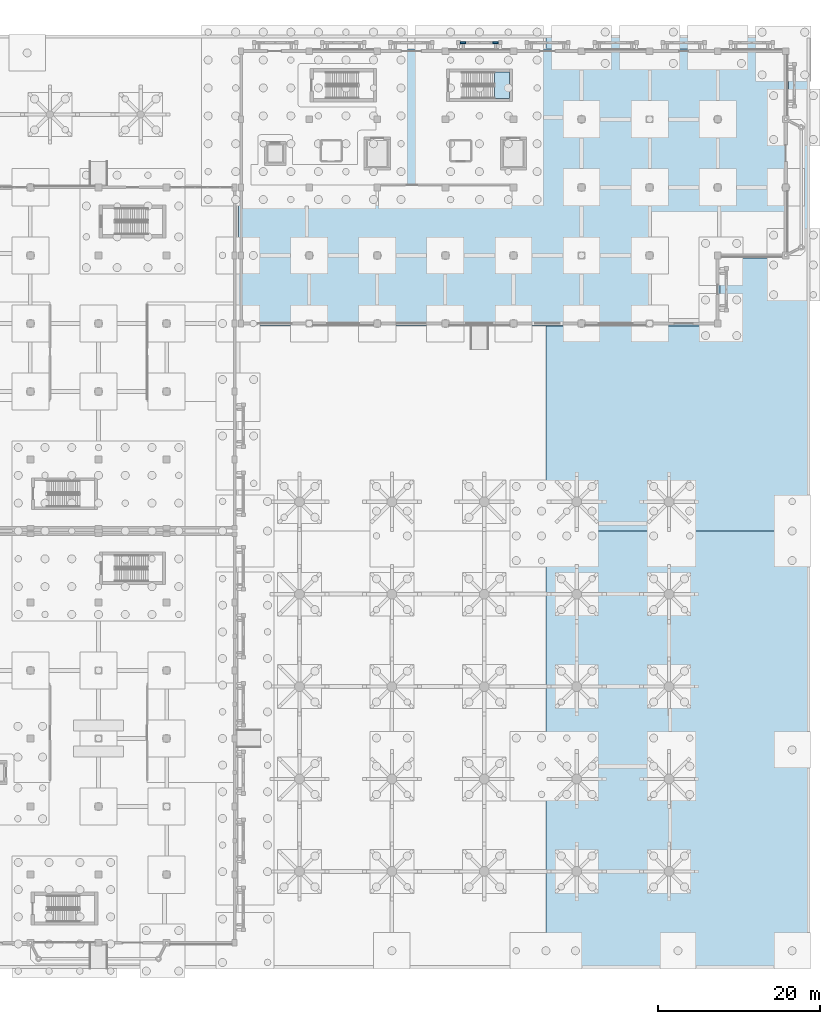
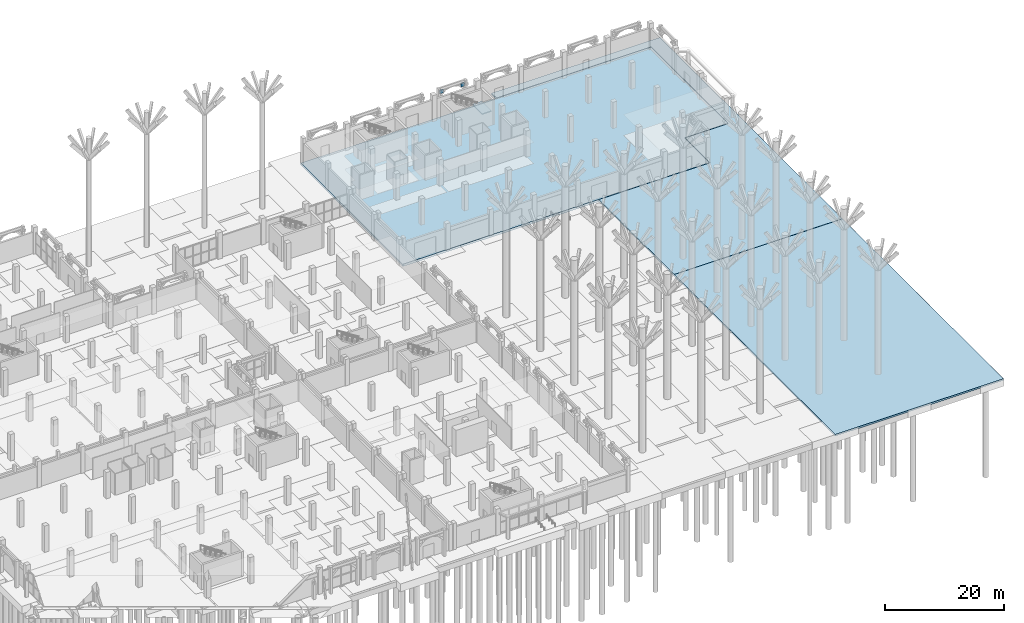
# One storey, part 55 of 98: 4 slabs, 2 plates, 1 element without a shape of its own.
"""IFC4 building model written with IfcOpenShell, lengths in metres."""

from ifc_helpers import new_model, si_unit, direction, frame, origin, origin_2d, place, context, subcontext, project, spatial, polyline, rectangle, outline, extrude, material, layer, layer_set, type_object, element, aggregate, save


model = new_model("IFC4")

# Units and contexts
model_context = context("Model", 3, precision=1e-05, world=origin(), true_north=direction((0.0, 1.0)))
body_context = subcontext(model_context, "Body", "Model", "MODEL_VIEW")
ifc_project = project(units=[si_unit("LENGTHUNIT", "METRE"), si_unit("AREAUNIT", "SQUARE_METRE"), si_unit("VOLUMEUNIT", "CUBIC_METRE"), si_unit("PLANEANGLEUNIT", "RADIAN"), si_unit("MASSUNIT", "GRAM", prefix="KILO")], contexts=[model_context])

# Site, building, storey
site_placement = place(None, origin())
site = spatial("IfcSite", under=ifc_project, at=site_placement, CompositionType="ELEMENT")
building_placement = place(site_placement, origin())
building = spatial("IfcBuilding", under=site, at=building_placement, Name="Xazarin Passage Department Store", CompositionType="ELEMENT")
storey_placement = place(building_placement, origin())
storey = spatial("IfcBuildingStorey", under=building, at=storey_placement, Name="L00", CompositionType="ELEMENT", Elevation=0.0)

# Plates
ifc_material_1 = material(Name="Precast concrete C40/50", Category="concrete")
ifc_layer_1 = layer(ifc_material_1, 0.199951171875)
ifc_layer_set_1 = layer_set([ifc_layer_1], Name="Precast concrete C40/50")
plate_type = type_object("IfcPlateType", Name="ARC-PLT-SCR-13", PredefinedType="USERDEFINED", material=ifc_layer_set_1)
for number, where, z_axis, x_axis, name in (
    (1, (129.800048828125, 111.050048828125, 4.16015625), (0.0, 0.0, 1.0), (1.0, 0.0, 0.0), "L00 V4 Arch Spandrel Tympanum 0313"),
    (2, (133.800048828125, 111.050048828125, 4.16015625), (0.0, 0.0, 1.0), (1.0, 0.0, 0.0), "L00 V4 Arch Spandrel Tympanum 0314"),
):
    element("IfcPlate", number, at=place(storey_placement, frame(where, z_axis=z_axis, x_axis=x_axis)), inside=storey, type_object=plate_type, Name=name, ObjectType="SCREEN PANEL", PredefinedType="USERDEFINED", context=body_context, shape_type="SweptSolid", body=[
        extrude(rectangle(XDim=0.679931640625, YDim=0.199951171875, at=origin_2d()), origin(), (0.0, 0.0, 1.0), 0.719970703125),
    ])

# Slab
ifc_material_2 = material(Name="Concrete C35/45", Category="concrete")
ifc_layer_2 = layer(ifc_material_2, 0.449951171875)
ifc_layer_set_2 = layer_set([ifc_layer_2], Name="Concrete C35/45")
slab_type_1 = type_object("IfcSlabType", Name="STR-SLB-DOCK450", PredefinedType="BASESLAB", material=ifc_layer_set_2)
slab_1_placement = place(storey_placement, frame((0.0, 0.0, -0.449951171875)))
element("IfcSlab", 3, at=slab_1_placement, inside=storey, type_object=slab_type_1, Name="L00 V4 Structural Base Slab", PredefinedType="BASESLAB", context=body_context, shape_type="SweptSolid", body=[
    extrude(outline(polyline([(161.5, 76.10009765625), (161.5, 84.5), (169.89990234375, 84.5), (169.89990234375, 110.300048828125), (102.10009765625, 110.300048828125), (102.10009765625, 76.10009765625), (161.5, 76.10009765625)])), origin(), (0.0, 0.0, 1.0), 0.449951171875),
])

# Stair, slab
stair_type = type_object("IfcStairType", Name="ARC-ST-L00", PredefinedType="HALF_TURN_STAIR", material=ifc_material_2)
stair_placement = place(storey_placement, origin())
stair = element("IfcStair", 4, at=stair_placement, inside=storey, type_object=stair_type, Name="L00 Exit Stair ST11", PredefinedType="HALF_TURN_STAIR")
ifc_layer_3 = layer(ifc_material_2, 0.199951171875)
ifc_layer_set_3 = layer_set([ifc_layer_3], Name="Concrete C35/45")
slab_type_2 = type_object("IfcSlabType", Name="STR-SLB-LND200", PredefinedType="LANDING", material=ifc_layer_set_3)
slab_2_placement = place(storey_placement, frame((0.0, 0.0, 2.5)))
slab_2 = element("IfcSlab", 5, at=slab_2_placement, type_object=slab_type_2, Name="ST11 landing 1", PredefinedType="LANDING", context=body_context, shape_type="SweptSolid", body=[
    extrude(outline(polyline([(133.68994140625, 104.179931640625), (135.5, 104.179931640625), (135.5, 107.419921875), (133.68994140625, 107.419921875), (133.68994140625, 104.179931640625)])), origin(), (0.0, 0.0, 1.0), 0.199951171875),
])
aggregate(stair, [slab_2])

# Slabs
ifc_layer_4 = layer(ifc_material_2, 0.35009765625)
ifc_layer_set_4 = layer_set([ifc_layer_4], Name="Concrete C35/45")
slab_type_3 = type_object("IfcSlabType", Name="STR-SLB-PLZ350", PredefinedType="BASESLAB", material=ifc_layer_set_4)
slab_3_placement = place(storey_placement, frame((0.0, 0.0, -0.35009765625)))
element("IfcSlab", 6, at=slab_3_placement, inside=storey, type_object=slab_type_3, Name="L00 Open Trading Court Limestone Plaza Slab 07", PredefinedType="BASESLAB", context=body_context, shape_type="SweptSolid", body=[
    extrude(outline(polyline([(172.590087890625, -3.18994140625), (172.590087890625, 50.7900390625), (140.010009765625, 50.7900390625), (140.010009765625, -3.18994140625), (172.590087890625, -3.18994140625)])), origin(), (0.0, 0.0, 1.0), 0.35009765625),
])
slab_4_placement = place(storey_placement, frame((0.0, 0.0, -0.35009765625)))
element("IfcSlab", 7, at=slab_4_placement, inside=storey, type_object=slab_type_3, Name="L00 Open Trading Court Limestone Plaza Slab 08", PredefinedType="BASESLAB", context=body_context, shape_type="SweptSolid", body=[
    extrude(outline(polyline([(140.010009765625, 76.074951171875), (140.010009765625, 50.81005859375), (172.590087890625, 50.81005859375), (172.590087890625, 111.989990234375), (140.010009765625, 111.989990234375), (140.010009765625, 110.324951171875), (169.89990234375, 110.324951171875), (169.902587890625, 110.324951171875), (169.90478515625, 110.324462890625), (169.9072265625, 110.323974609375), (169.90966796875, 110.322998046875), (169.911865234375, 110.322021484375), (169.913818359375, 110.32080078125), (169.916015625, 110.3193359375), (169.917724609375, 110.317626953125), (169.919189453125, 110.31591796875), (169.9208984375, 110.31396484375), (169.922119140625, 110.311767578125), (169.923095703125, 110.3095703125), (169.923828125, 110.307373046875), (169.924560546875, 110.304931640625), (169.9248046875, 110.302490234375), (169.925048828125, 110.300048828125), (169.925048828125, 84.5), (169.9248046875, 84.49755859375), (169.924560546875, 84.4951171875), (169.923828125, 84.49267578125), (169.923095703125, 84.490478515625), (169.922119140625, 84.48828125), (169.9208984375, 84.486083984375), (169.919189453125, 84.484130859375), (169.917724609375, 84.482421875), (169.916015625, 84.480712890625), (169.913818359375, 84.479248046875), (169.911865234375, 84.47802734375), (169.90966796875, 84.476806640625), (169.9072265625, 84.47607421875), (169.90478515625, 84.4755859375), (169.902587890625, 84.47509765625), (169.89990234375, 84.47509765625), (161.52490234375, 84.47509765625), (161.52490234375, 76.10009765625), (161.52490234375, 76.097412109375), (161.5244140625, 76.09521484375), (161.52392578125, 76.0927734375), (161.523193359375, 76.09033203125), (161.52197265625, 76.088134765625), (161.520751953125, 76.086181640625), (161.519287109375, 76.083984375), (161.517578125, 76.082275390625), (161.515869140625, 76.080810546875), (161.513916015625, 76.0791015625), (161.51171875, 76.077880859375), (161.509521484375, 76.076904296875), (161.50732421875, 76.076171875), (161.5048828125, 76.075439453125), (161.50244140625, 76.0751953125), (161.5, 76.074951171875), (140.010009765625, 76.074951171875)])), origin(), (0.0, 0.0, 1.0), 0.35009765625),
])

save(model, "model.ifc")
